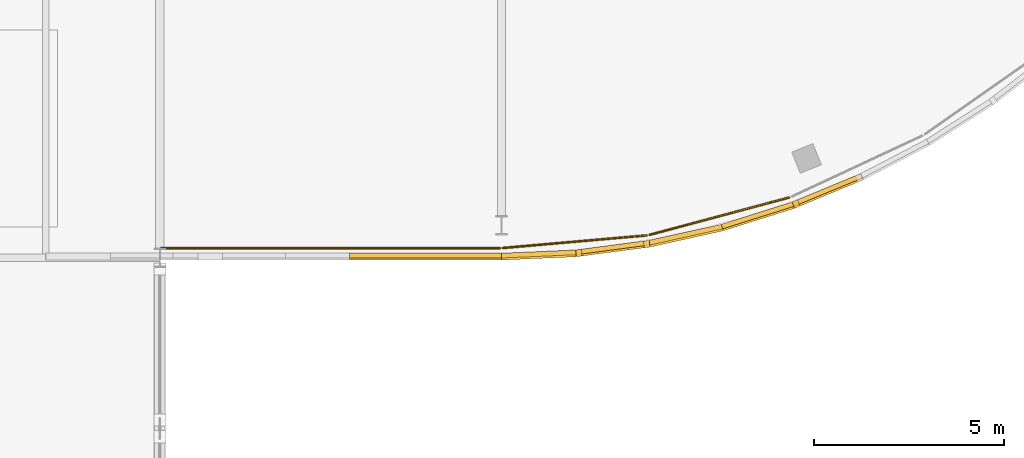
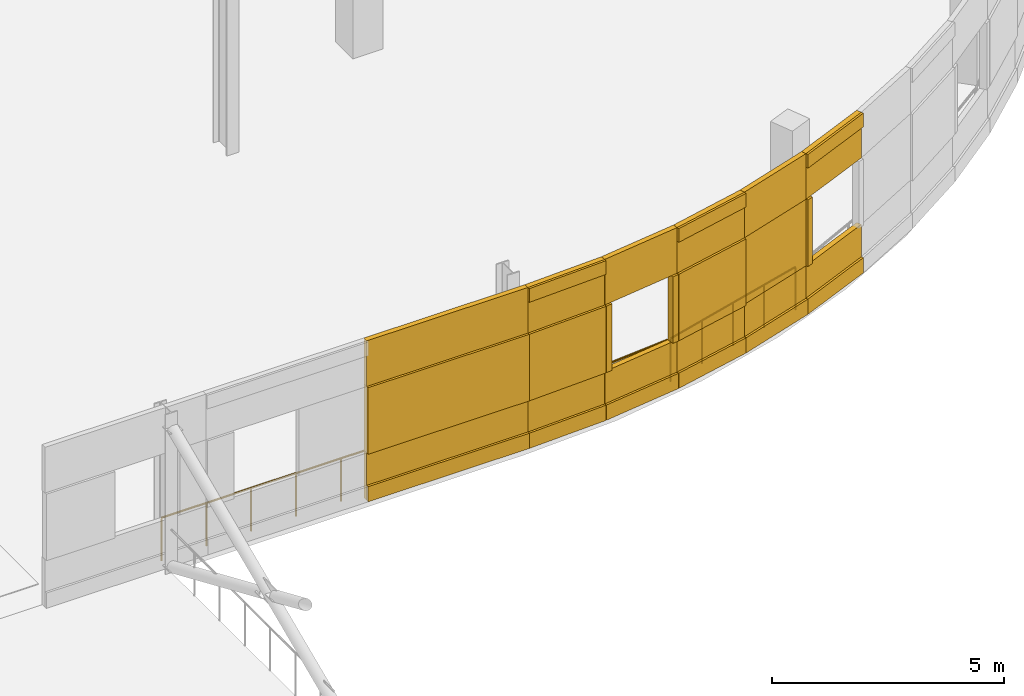
# One storey, part 133 of 140: 28 coverings, 3 railings.
"""IFC4 building model written with IfcOpenShell, lengths in metres."""

from ifc_helpers import new_model, si_unit, direction, frame, origin, origin_2d, place, context, subcontext, project, spatial, rectangle, circle, extrude, material, layer, layer_set, type_object, element, save


model = new_model("IFC4")

# Units and contexts
model_context = context("Model", 3, precision=1e-05, world=origin(), true_north=direction((0.0, 1.0)))
body_context = subcontext(model_context, "Body", "Model", "MODEL_VIEW")
ifc_project = project(units=[si_unit("LENGTHUNIT", "METRE"), si_unit("AREAUNIT", "SQUARE_METRE"), si_unit("VOLUMEUNIT", "CUBIC_METRE"), si_unit("PLANEANGLEUNIT", "RADIAN"), si_unit("MASSUNIT", "GRAM", prefix="KILO")], contexts=[model_context])

# Site, building, storey
site_placement = place(None, origin())
site = spatial("IfcSite", under=ifc_project, at=site_placement, CompositionType="ELEMENT")
building_placement = place(site_placement, origin())
building = spatial("IfcBuilding", under=site, at=building_placement, Name="Deido Ridge Mobility Hub", CompositionType="ELEMENT")
storey_placement = place(building_placement, origin())
storey = spatial("IfcBuildingStorey", under=building, at=storey_placement, Name="L00", CompositionType="ELEMENT", Elevation=0.0)

# Coverings
ifc_material_1 = material(Name="Fired clay brick masonry", Category="masonry")
ifc_layer = layer(ifc_material_1, 0.114990234375, Name="Fired clay brick masonry")
ifc_layer_set = layer_set([ifc_layer], Name="Fired clay brick masonry")
covering_type = type_object("IfcCoveringType", Name="COV-BRK-SCREEN-115", PredefinedType="CLADDING", material=ifc_layer_set)
covering_1_placement = place(storey_placement, frame((117.978271484375, 81.09521484375, 0.0), z_axis=(0.0, 0.0, 1.0), x_axis=(0.999048982732, 0.043601950678, 0.0)))
element("IfcCovering", 1, at=covering_1_placement, inside=storey, type_object=covering_type, Name="Open brickwork spandrel course BKS1 (L00)", PredefinedType="CLADDING", context=body_context, shape_type="SweptSolid", body=[
    extrude(rectangle(XDim=1.9619140625, YDim=0.125, at=origin_2d()), origin(), (0.0, 0.0, 1.0), 1.25),
])
covering_2_placement = place(storey_placement, frame((117.9794921875, 81.067626953125, 0.0), z_axis=(0.0, 0.0, 1.0), x_axis=(0.999048982732, 0.043601950678, 0.0)))
element("IfcCovering", 2, at=covering_2_placement, inside=storey, type_object=covering_type, Name="Raised brick relief belt BKS1 (L00)", PredefinedType="CLADDING", context=body_context, shape_type="SweptSolid", body=[
    extrude(rectangle(XDim=1.9619140625, YDim=0.179931640625, at=origin_2d()), origin(), (0.0, 0.0, 1.0), 0.39990234375),
])
covering_3_placement = place(storey_placement, frame((117.978271484375, 81.09521484375, 3.0), z_axis=(0.0, 0.0, 1.0), x_axis=(0.999048982732, 0.043601950678, 0.0)))
element("IfcCovering", 3, at=covering_3_placement, inside=storey, type_object=covering_type, Name="Open brickwork lintel course BKS1 (L00)", PredefinedType="CLADDING", context=body_context, shape_type="SweptSolid", body=[
    extrude(rectangle(XDim=1.9619140625, YDim=0.125, at=origin_2d()), origin(), (0.0, 0.0, 1.0), 1.199951171875),
])
covering_4_placement = place(storey_placement, frame((117.9794921875, 81.067626953125, 3.83984375), z_axis=(0.0, 0.0, 1.0), x_axis=(0.999048982732, 0.043601950678, 0.0)))
element("IfcCovering", 4, at=covering_4_placement, inside=storey, type_object=covering_type, Name="Raised brick relief cornice BKS1 (L00)", PredefinedType="CLADDING", context=body_context, shape_type="SweptSolid", body=[
    extrude(rectangle(XDim=1.9619140625, YDim=0.179931640625, at=origin_2d()), origin(), (0.0, 0.0, 1.0), 0.360107421875),
])
covering_5_placement = place(storey_placement, frame((117.9794921875, 81.067626953125, 1.25), z_axis=(0.0, 0.0, 1.0), x_axis=(0.999048982732, 0.043601950678, 0.0)))
element("IfcCovering", 5, at=covering_5_placement, inside=storey, type_object=covering_type, Name="Curved raised brickwork pier BKS1 (L00)", PredefinedType="CLADDING", context=body_context, shape_type="SweptSolid", body=[
    extrude(rectangle(XDim=1.9619140625, YDim=0.179931640625, at=origin_2d()), origin(), (0.0, 0.0, 1.0), 1.75),
])
covering_6_placement = place(storey_placement, frame((119.92724609375, 81.265625, 0.0), z_axis=(0.0, 0.0, 1.0), x_axis=(0.991442583111, 0.130543496177, 0.0)))
element("IfcCovering", 6, at=covering_6_placement, inside=storey, type_object=covering_type, Name="Open brickwork spandrel course BKS1 (L00)", PredefinedType="CLADDING", context=body_context, shape_type="SweptSolid", body=[
    extrude(rectangle(XDim=1.9619140625, YDim=0.125, at=origin_2d()), origin(), (0.0, 0.0, 1.0), 1.25),
])
covering_7_placement = place(storey_placement, frame((119.930908203125, 81.23828125, 0.0), z_axis=(0.0, 0.0, 1.0), x_axis=(0.991442583111, 0.130543496177, 0.0)))
element("IfcCovering", 7, at=covering_7_placement, inside=storey, type_object=covering_type, Name="Raised brick relief belt BKS1 (L00)", PredefinedType="CLADDING", context=body_context, shape_type="SweptSolid", body=[
    extrude(rectangle(XDim=1.9619140625, YDim=0.179931640625, at=origin_2d()), origin(), (0.0, 0.0, 1.0), 0.39990234375),
])
covering_8_placement = place(storey_placement, frame((119.92724609375, 81.265625, 3.0), z_axis=(0.0, 0.0, 1.0), x_axis=(0.991442583111, 0.130543496177, 0.0)))
element("IfcCovering", 8, at=covering_8_placement, inside=storey, type_object=covering_type, Name="Open brickwork lintel course BKS1 (L00)", PredefinedType="CLADDING", context=body_context, shape_type="SweptSolid", body=[
    extrude(rectangle(XDim=1.9619140625, YDim=0.125, at=origin_2d()), origin(), (0.0, 0.0, 1.0), 1.199951171875),
])
for number, where, z_axis, x_axis, name in (
    (9, (119.03759765625, 81.120849609375, 1.25), (0.0, 0.0, 1.0), (0.991442583111, 0.130543496177, 0.0), "Curved brick jamb nib BKS1 (L00)"),
    (10, (120.82421875, 81.35595703125, 1.25), (0.0, 0.0, 1.0), (0.991442583111, 0.130543496177, 0.0), "Curved brick jamb nib BKS1 (L00)"),
):
    element("IfcCovering", number, at=place(storey_placement, frame(where, z_axis=z_axis, x_axis=x_axis)), inside=storey, type_object=covering_type, Name=name, PredefinedType="CLADDING", context=body_context, shape_type="SweptSolid", body=[
        extrude(rectangle(XDim=0.152099609375, YDim=0.179931640625, at=origin_2d()), origin(), (0.0, 0.0, 1.0), 1.75),
    ])
covering_9_placement = place(storey_placement, frame((121.85400390625, 81.60546875, 0.0), z_axis=(0.0, 0.0, 1.0), x_axis=(0.976292229387, 0.216456653485, 0.0)))
element("IfcCovering", 11, at=covering_9_placement, inside=storey, type_object=covering_type, Name="Open brickwork spandrel course BKS1 (L00)", PredefinedType="CLADDING", context=body_context, shape_type="SweptSolid", body=[
    extrude(rectangle(XDim=1.9619140625, YDim=0.125, at=origin_2d()), origin(), (0.0, 0.0, 1.0), 1.25),
])
covering_10_placement = place(storey_placement, frame((121.85986328125, 81.57861328125, 0.0), z_axis=(0.0, 0.0, 1.0), x_axis=(0.976292229387, 0.216456653485, 0.0)))
element("IfcCovering", 12, at=covering_10_placement, inside=storey, type_object=covering_type, Name="Raised brick relief belt BKS1 (L00)", PredefinedType="CLADDING", context=body_context, shape_type="SweptSolid", body=[
    extrude(rectangle(XDim=1.9619140625, YDim=0.179931640625, at=origin_2d()), origin(), (0.0, 0.0, 1.0), 0.39990234375),
])
covering_11_placement = place(storey_placement, frame((121.85400390625, 81.60546875, 3.0), z_axis=(0.0, 0.0, 1.0), x_axis=(0.976292229387, 0.216456653485, 0.0)))
element("IfcCovering", 13, at=covering_11_placement, inside=storey, type_object=covering_type, Name="Open brickwork lintel course BKS1 (L00)", PredefinedType="CLADDING", context=body_context, shape_type="SweptSolid", body=[
    extrude(rectangle(XDim=1.9619140625, YDim=0.125, at=origin_2d()), origin(), (0.0, 0.0, 1.0), 1.199951171875),
])
covering_12_placement = place(storey_placement, frame((121.85986328125, 81.57861328125, 3.83984375), z_axis=(0.0, 0.0, 1.0), x_axis=(0.976292229387, 0.216456653485, 0.0)))
element("IfcCovering", 14, at=covering_12_placement, inside=storey, type_object=covering_type, Name="Raised brick relief cornice BKS1 (L00)", PredefinedType="CLADDING", context=body_context, shape_type="SweptSolid", body=[
    extrude(rectangle(XDim=1.9619140625, YDim=0.179931640625, at=origin_2d()), origin(), (0.0, 0.0, 1.0), 0.360107421875),
])
covering_13_placement = place(storey_placement, frame((121.85986328125, 81.57861328125, 1.25), z_axis=(0.0, 0.0, 1.0), x_axis=(0.976292229387, 0.216456653485, 0.0)))
element("IfcCovering", 15, at=covering_13_placement, inside=storey, type_object=covering_type, Name="Curved raised brickwork pier BKS1 (L00)", PredefinedType="CLADDING", context=body_context, shape_type="SweptSolid", body=[
    extrude(rectangle(XDim=1.9619140625, YDim=0.179931640625, at=origin_2d()), origin(), (0.0, 0.0, 1.0), 1.75),
])
covering_14_placement = place(storey_placement, frame((123.74365234375, 82.11181640625, 0.0), z_axis=(0.0, 0.0, 1.0), x_axis=(0.95372744678, 0.300672508319, 0.0)))
element("IfcCovering", 16, at=covering_14_placement, inside=storey, type_object=covering_type, Name="Open brickwork spandrel course BKS1 (L00)", PredefinedType="CLADDING", context=body_context, shape_type="SweptSolid", body=[
    extrude(rectangle(XDim=1.9619140625, YDim=0.125, at=origin_2d()), origin(), (0.0, 0.0, 1.0), 1.25),
])
covering_15_placement = place(storey_placement, frame((123.751953125, 82.085693359375, 0.0), z_axis=(0.0, 0.0, 1.0), x_axis=(0.95372744678, 0.300672508319, 0.0)))
element("IfcCovering", 17, at=covering_15_placement, inside=storey, type_object=covering_type, Name="Raised brick relief belt BKS1 (L00)", PredefinedType="CLADDING", context=body_context, shape_type="SweptSolid", body=[
    extrude(rectangle(XDim=1.9619140625, YDim=0.179931640625, at=origin_2d()), origin(), (0.0, 0.0, 1.0), 0.39990234375),
])
covering_16_placement = place(storey_placement, frame((123.74365234375, 82.11181640625, 3.0), z_axis=(0.0, 0.0, 1.0), x_axis=(0.95372744678, 0.300672508319, 0.0)))
element("IfcCovering", 18, at=covering_16_placement, inside=storey, type_object=covering_type, Name="Open brickwork lintel course BKS1 (L00)", PredefinedType="CLADDING", context=body_context, shape_type="SweptSolid", body=[
    extrude(rectangle(XDim=1.9619140625, YDim=0.125, at=origin_2d()), origin(), (0.0, 0.0, 1.0), 1.199951171875),
])
covering_17_placement = place(storey_placement, frame((123.74365234375, 82.11181640625, 1.25), z_axis=(0.0, 0.0, 1.0), x_axis=(0.95372744678, 0.300672508319, 0.0)))
element("IfcCovering", 19, at=covering_17_placement, inside=storey, type_object=covering_type, Name="Curved raised brickwork pier BKS1 (L00)", PredefinedType="CLADDING", context=body_context, shape_type="SweptSolid", body=[
    extrude(rectangle(XDim=1.9619140625, YDim=0.125, at=origin_2d()), origin(), (0.0, 0.0, 1.0), 1.75),
])
covering_18_placement = place(storey_placement, frame((125.58203125, 82.781005859375, 0.0), z_axis=(0.0, 0.0, 1.0), x_axis=(0.923872853285, 0.382699557047, 0.0)))
element("IfcCovering", 20, at=covering_18_placement, inside=storey, type_object=covering_type, Name="Open brickwork spandrel course BKS1 (L00)", PredefinedType="CLADDING", context=body_context, shape_type="SweptSolid", body=[
    extrude(rectangle(XDim=1.9619140625, YDim=0.125, at=origin_2d()), origin(), (0.0, 0.0, 1.0), 1.25),
])
covering_19_placement = place(storey_placement, frame((125.5927734375, 82.755615234375, 0.0), z_axis=(0.0, 0.0, 1.0), x_axis=(0.923872853285, 0.382699557047, 0.0)))
element("IfcCovering", 21, at=covering_19_placement, inside=storey, type_object=covering_type, Name="Raised brick relief belt BKS1 (L00)", PredefinedType="CLADDING", context=body_context, shape_type="SweptSolid", body=[
    extrude(rectangle(XDim=1.9619140625, YDim=0.179931640625, at=origin_2d()), origin(), (0.0, 0.0, 1.0), 0.39990234375),
])
covering_20_placement = place(storey_placement, frame((125.58203125, 82.781005859375, 3.0), z_axis=(0.0, 0.0, 1.0), x_axis=(0.923872853285, 0.382699557047, 0.0)))
element("IfcCovering", 22, at=covering_20_placement, inside=storey, type_object=covering_type, Name="Open brickwork lintel course BKS1 (L00)", PredefinedType="CLADDING", context=body_context, shape_type="SweptSolid", body=[
    extrude(rectangle(XDim=1.9619140625, YDim=0.125, at=origin_2d()), origin(), (0.0, 0.0, 1.0), 1.199951171875),
])
covering_21_placement = place(storey_placement, frame((125.5927734375, 82.755615234375, 3.83984375), z_axis=(0.0, 0.0, 1.0), x_axis=(0.923872853285, 0.382699557047, 0.0)))
element("IfcCovering", 23, at=covering_21_placement, inside=storey, type_object=covering_type, Name="Raised brick relief cornice BKS1 (L00)", PredefinedType="CLADDING", context=body_context, shape_type="SweptSolid", body=[
    extrude(rectangle(XDim=1.9619140625, YDim=0.179931640625, at=origin_2d()), origin(), (0.0, 0.0, 1.0), 0.360107421875),
])
covering_22_placement = place(storey_placement, frame((124.76025390625, 82.41064453125, 1.25), z_axis=(0.0, 0.0, 1.0), x_axis=(0.923872853285, 0.382699557047, 0.0)))
element("IfcCovering", 24, at=covering_22_placement, inside=storey, type_object=covering_type, Name="Curved brick jamb nib BKS1 (L00)", PredefinedType="CLADDING", context=body_context, shape_type="SweptSolid", body=[
    extrude(rectangle(XDim=0.152099609375, YDim=0.179931640625, at=origin_2d()), origin(), (0.0, 0.0, 1.0), 1.75),
])
covering_23_placement = place(storey_placement, frame((115.0, 81.052490234375, 0.0), z_axis=(0.0, 0.0, 1.0), x_axis=(1.0, 0.0, 0.0)))
element("IfcCovering", 25, at=covering_23_placement, inside=storey, type_object=covering_type, Name="Open brickwork spandrel course BKS1 (L00)", PredefinedType="CLADDING", context=body_context, shape_type="SweptSolid", body=[
    extrude(rectangle(XDim=4.01611328125, YDim=0.125, at=origin_2d()), origin(), (0.0, 0.0, 1.0), 1.25),
])
covering_24_placement = place(storey_placement, frame((115.0, 81.02490234375, 0.0), z_axis=(0.0, 0.0, 1.0), x_axis=(1.0, 0.0, 0.0)))
element("IfcCovering", 26, at=covering_24_placement, inside=storey, type_object=covering_type, Name="Raised brick relief belt BKS1 (L00)", PredefinedType="CLADDING", context=body_context, shape_type="SweptSolid", body=[
    extrude(rectangle(XDim=4.01611328125, YDim=0.179931640625, at=origin_2d()), origin(), (0.0, 0.0, 1.0), 0.39990234375),
])
covering_25_placement = place(storey_placement, frame((115.0, 81.052490234375, 3.0), z_axis=(0.0, 0.0, 1.0), x_axis=(1.0, 0.0, 0.0)))
element("IfcCovering", 27, at=covering_25_placement, inside=storey, type_object=covering_type, Name="Open brickwork lintel course BKS1 (L00)", PredefinedType="CLADDING", context=body_context, shape_type="SweptSolid", body=[
    extrude(rectangle(XDim=4.01611328125, YDim=0.125, at=origin_2d()), origin(), (0.0, 0.0, 1.0), 1.199951171875),
])
covering_26_placement = place(storey_placement, frame((115.0, 81.02490234375, 1.25), z_axis=(0.0, 0.0, 1.0), x_axis=(1.0, 0.0, 0.0)))
element("IfcCovering", 28, at=covering_26_placement, inside=storey, type_object=covering_type, Name="Raised brick relief panel BKS1 (L00)", PredefinedType="CLADDING", context=body_context, shape_type="SweptSolid", body=[
    extrude(rectangle(XDim=4.008056640625, YDim=0.179931640625, at=origin_2d()), origin(), (0.0, 0.0, 1.0), 1.75),
])

# Railings
ifc_material_2 = material(Name="Galvanised steel work", Category="steel")
railing_type = type_object("IfcRailingType", Name="RL-GRD-EXT-1150", PredefinedType="GUARDRAIL", material=ifc_material_2)
railing_1_placement = place(storey_placement, frame((117.039794921875, 81.25341796875, 0.0)))
element("IfcRailing", 29, at=railing_1_placement, inside=storey, type_object=railing_type, Name="Parking drum perimeter guard (L00)", PredefinedType="GUARDRAIL", context=body_context, shape_type="SweptSolid", body=[
    extrude(circle(Radius=0.02392578125, at=origin_2d()), frame((0.0, 0.0, 1.1259765625), z_axis=(0.996195112607, 0.08715100469, 0.0), x_axis=(-0.08715100469, 0.996195112607, 0.0)), (0.0, 0.0, 1.0), 3.798583984375),
    extrude(circle(Radius=0.02099609375, at=origin_2d()), origin(), (0.0, 0.0, 1.0), 1.101806640625),
    extrude(circle(Radius=0.02099609375, at=origin_2d()), frame((0.946044921875, 0.082763671875, 0.0)), (0.0, 0.0, 1.0), 1.101806640625),
    extrude(circle(Radius=0.02099609375, at=origin_2d()), frame((1.89208984375, 0.16552734375, 0.0)), (0.0, 0.0, 1.0), 1.101806640625),
    extrude(circle(Radius=0.02099609375, at=origin_2d()), frame((2.838134765625, 0.248291015625, 0.0)), (0.0, 0.0, 1.0), 1.101806640625),
    extrude(circle(Radius=0.02099609375, at=origin_2d()), frame((3.7841796875, 0.3310546875, 0.0)), (0.0, 0.0, 1.0), 1.101806640625),
])
railing_2_placement = place(storey_placement, frame((120.90234375, 81.598388671875, 0.0)))
element("IfcRailing", 30, at=railing_2_placement, inside=storey, type_object=railing_type, Name="Parking drum perimeter guard (L00)", PredefinedType="GUARDRAIL", context=body_context, shape_type="SweptSolid", body=[
    extrude(circle(Radius=0.02392578125, at=origin_2d()), frame((0.0, 0.0, 1.1259765625), z_axis=(0.965937723757, 0.258774639064, 0.0), x_axis=(-0.258774639064, 0.965937723757, 0.0)), (0.0, 0.0, 1.0), 3.79833984375),
    extrude(circle(Radius=0.02099609375, at=origin_2d()), origin(), (0.0, 0.0, 1.0), 1.101806640625),
    extrude(circle(Radius=0.02099609375, at=origin_2d()), frame((0.917236328125, 0.24560546875, 0.0)), (0.0, 0.0, 1.0), 1.101806640625),
    extrude(circle(Radius=0.02099609375, at=origin_2d()), frame((1.83447265625, 0.491455078125, 0.0)), (0.0, 0.0, 1.0), 1.101806640625),
    extrude(circle(Radius=0.02099609375, at=origin_2d()), frame((2.751708984375, 0.7373046875, 0.0)), (0.0, 0.0, 1.0), 1.101806640625),
    extrude(circle(Radius=0.02099609375, at=origin_2d()), frame((3.6689453125, 0.98291015625, 0.0)), (0.0, 0.0, 1.0), 1.101806640625),
])
railing_3_placement = place(storey_placement, frame((108.0400390625, 81.25, 0.0)))
element("IfcRailing", 31, at=railing_3_placement, inside=storey, type_object=railing_type, Name="Parking drum perimeter guard (L00)", PredefinedType="GUARDRAIL", context=body_context, shape_type="SweptSolid", body=[
    extrude(circle(Radius=0.02392578125, at=origin_2d()), frame((0.0, 0.0, 1.1259765625), z_axis=(1.0, 0.0, 0.0), x_axis=(0.0, 1.0, 0.0)), (0.0, 0.0, 1.0), 8.919921875),
    extrude(circle(Radius=0.02099609375, at=origin_2d()), origin(), (0.0, 0.0, 1.0), 1.101806640625),
    extrude(circle(Radius=0.02099609375, at=origin_2d()), frame((1.114990234375, 0.0, 0.0)), (0.0, 0.0, 1.0), 1.101806640625),
    extrude(circle(Radius=0.02099609375, at=origin_2d()), frame((2.22998046875, 0.0, 0.0)), (0.0, 0.0, 1.0), 1.101806640625),
    extrude(circle(Radius=0.02099609375, at=origin_2d()), frame((3.344970703125, 0.0, 0.0)), (0.0, 0.0, 1.0), 1.101806640625),
    extrude(circle(Radius=0.02099609375, at=origin_2d()), frame((4.4599609375, 0.0, 0.0)), (0.0, 0.0, 1.0), 1.101806640625),
    extrude(circle(Radius=0.02099609375, at=origin_2d()), frame((5.574951171875, 0.0, 0.0)), (0.0, 0.0, 1.0), 1.101806640625),
    extrude(circle(Radius=0.02099609375, at=origin_2d()), frame((6.68994140625, 0.0, 0.0)), (0.0, 0.0, 1.0), 1.101806640625),
    extrude(circle(Radius=0.02099609375, at=origin_2d()), frame((7.804931640625, 0.0, 0.0)), (0.0, 0.0, 1.0), 1.101806640625),
    extrude(circle(Radius=0.02099609375, at=origin_2d()), frame((8.919921875, 0.0, 0.0)), (0.0, 0.0, 1.0), 1.101806640625),
])

save(model, "model.ifc")
